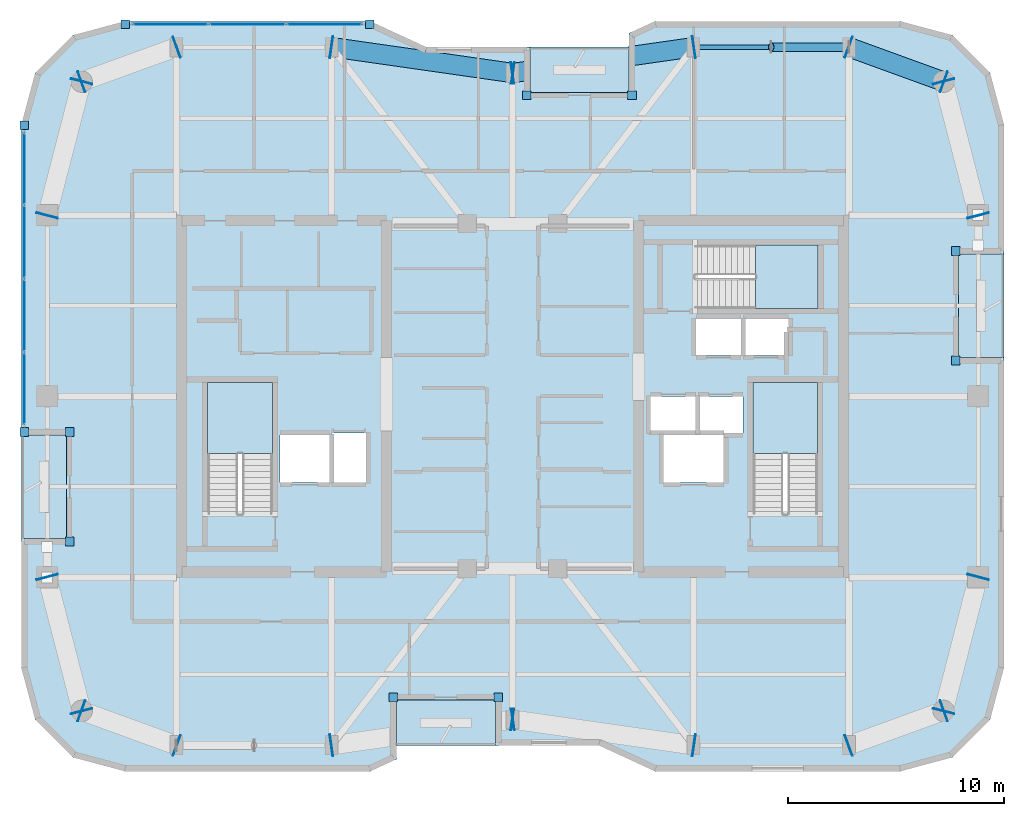
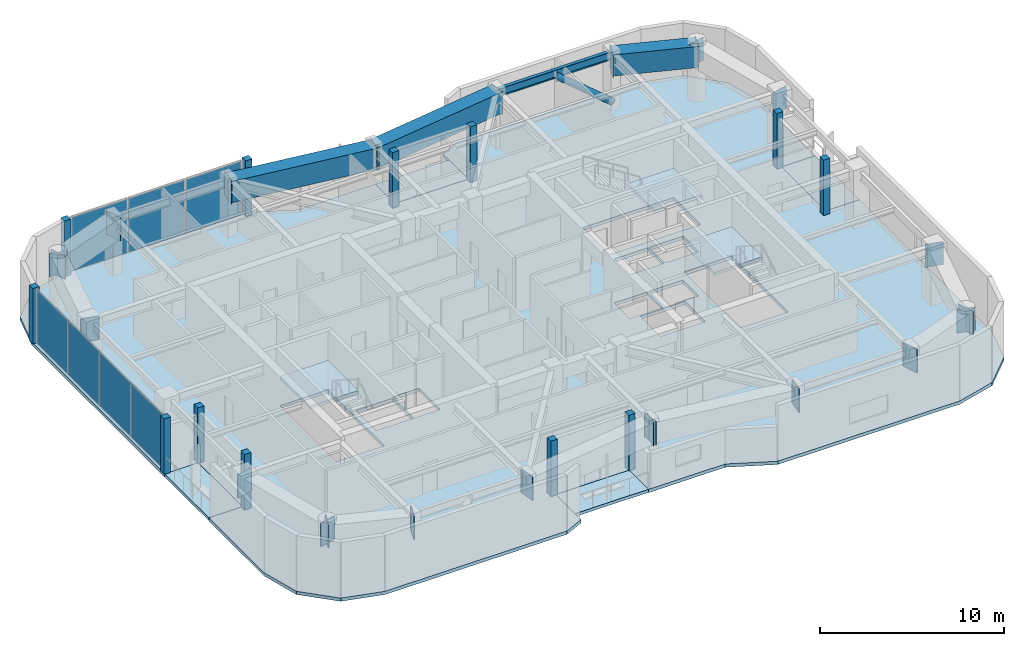
# One storey, part 7 of 15: 43 plates, 8 slabs, 4 beams, 1 member, 5 elements without a shape of their own.
"""IFC4 building model written with IfcOpenShell, lengths in metres."""

from ifc_helpers import new_model, si_unit, direction, frame, origin, origin_2d, place, context, subcontext, project, spatial, polyline, rectangle, hollow_rectangle, hollow_circle, i_section, outline, extrude, material, layer, layer_set, material_profile, profile_set, type_object, element, aggregate, save


model = new_model("IFC4")

# Units and contexts
model_context = context("Model", 3, precision=1e-05, world=origin(), true_north=direction((0.0, 1.0)))
body_context = subcontext(model_context, "Body", "Model", "MODEL_VIEW")
ifc_project = project(units=[si_unit("LENGTHUNIT", "METRE"), si_unit("AREAUNIT", "SQUARE_METRE"), si_unit("VOLUMEUNIT", "CUBIC_METRE"), si_unit("PLANEANGLEUNIT", "RADIAN"), si_unit("MASSUNIT", "GRAM", prefix="KILO")], contexts=[model_context])

# Site, building, storey
site_placement = place(None, origin())
site = spatial("IfcSite", under=ifc_project, at=site_placement, CompositionType="ELEMENT")
building_placement = place(site_placement, origin())
building = spatial("IfcBuilding", under=site, at=building_placement, Name="Kiyonajd Concourse Tower", CompositionType="ELEMENT")
storey_placement = place(building_placement, frame((0.0, 0.0, 274.5)))
storey = spatial("IfcBuildingStorey", under=building, at=storey_placement, Name="L69", CompositionType="ELEMENT", Elevation=274.5)

# Beams
ifc_material_1 = material(Name="Steel ASTM A992 Grade 50", Category="steel")
ifc_material_profile_1 = material_profile(ifc_material_1, i_section(OverallWidth=0.2109375, OverallDepth=0.5390625, WebThickness=0.01171875, FlangeThickness=0.018798828125, at=origin_2d()), Name="W530X109")
ifc_profile_set_1 = profile_set([ifc_material_profile_1], Name="Steel ASTM A992 Grade 50")
beam_type_1 = type_object("IfcBeamType", Name="BM-SPAN-530B", PredefinedType="SPANDREL", material=ifc_profile_set_1)
beam_1_placement = place(storey_placement, frame((63.60009765625, 52.199951171875, 3.410400390625), z_axis=(-1.0, 0.0, 0.0), x_axis=(0.0, -1.0, 0.0)))
element("IfcBeam", 1, at=beam_1_placement, inside=storey, type_object=beam_type_1, Name="L69 Perimeter Bundled Tube Spandrel", PredefinedType="SPANDREL", context=body_context, shape_type="SweptSolid", body=[
    extrude(i_section(OverallWidth=0.2109375, OverallDepth=0.5390625, WebThickness=0.01171875, FlangeThickness=0.018798828125, at=origin_2d()), origin(), (0.0, 0.0, 1.0), 7.2001953125),
])
ifc_material_2 = material(Name="Steel ASTM A572 Grade 50", Category="steel")
ifc_material_profile_2 = material_profile(ifc_material_2, hollow_rectangle(XDim=0.89990234375, YDim=1.39990234375, WallThickness=0.070068359375, at=origin_2d()), Name="BOX-1400x900x70")
ifc_profile_set_2 = profile_set([ifc_material_profile_2], Name="Steel ASTM A572 Grade 50")
beam_type_2 = type_object("IfcBeamType", Name="BM-XFER-1400", PredefinedType="BEAM", material=ifc_profile_set_2)
beam_2_placement = place(storey_placement, frame((68.0, 50.60009765625, 2.97998046875), z_axis=(-0.939801036019, 0.341722127901, 0.0), x_axis=(-0.341722127901, -0.939801036019, 0.0)))
element("IfcBeam", 2, at=beam_2_placement, inside=storey, type_object=beam_type_2, Name="L69 Perimeter Bundled Tube Spandrel", PredefinedType="BEAM", context=body_context, shape_type="SweptSolid", body=[
    extrude(hollow_rectangle(XDim=0.89990234375, YDim=1.39990234375, WallThickness=0.070068359375, at=origin_2d()), origin(), (0.0, 0.0, 1.0), 4.681640625),
])
for number, where, z_axis, x_axis, name in (
    (3, (56.39990234375, 52.199951171875, 2.97998046875), (-0.989950069105, -0.141417328072, 0.0), (0.141417328072, -0.989950069105, 0.0), "L69 Perimeter Bundled Tube Spandrel"),
    (4, (48.0, 51.0, 2.97998046875), (-0.989950069105, 0.141417328072, 0.0), (-0.141417328072, -0.989950069105, 0.0), "L69 Perimeter Bundled Tube Spandrel"),
):
    element("IfcBeam", number, at=place(storey_placement, frame(where, z_axis=z_axis, x_axis=x_axis)), inside=storey, type_object=beam_type_2, Name=name, PredefinedType="BEAM", context=body_context, shape_type="SweptSolid", body=[
        extrude(hollow_rectangle(XDim=0.89990234375, YDim=1.39990234375, WallThickness=0.070068359375, at=origin_2d()), origin(), (0.0, 0.0, 1.0), 8.485107421875),
    ])

# Member
ifc_material_3 = material(Name="Steel ASTM A500 Grade C", Category="steel")
ifc_material_profile_3 = material_profile(ifc_material_3, hollow_circle(Radius=0.202880859375, WallThickness=0.01904296875, at=origin_2d()), Name="CHS-406x19")
ifc_profile_set_3 = profile_set([ifc_material_profile_3], Name="Steel ASTM A500 Grade C")
member_type = type_object("IfcMemberType", Name="MB-PB-HIGH", PredefinedType="BRACE", material=ifc_profile_set_3)
member_placement = place(storey_placement, frame((63.60009765625, 52.199951171875, 0.300048828125), z_axis=(-0.765082043761, 0.0, 0.643932811957), x_axis=(0.0, -1.0, 0.0)))
element("IfcMember", 5, at=member_placement, inside=storey, type_object=member_type, Name="L69 Upper Zone Hollow Tube Brace PBN", PredefinedType="BRACE", context=body_context, shape_type="SweptSolid", body=[
    extrude(hollow_circle(Radius=0.202880859375, WallThickness=0.01904296875, at=origin_2d()), origin(), (0.0, 0.0, 1.0), 4.70556640625),
])

# Plates
ifc_layer_1 = layer(ifc_material_2, 0.031982421875)
ifc_layer_set_1 = layer_set([ifc_layer_1], Name="Steel ASTM A572 Grade 50")
plate_type_1 = type_object("IfcPlateType", Name="PL-CAP-540", PredefinedType="USERDEFINED", material=ifc_layer_set_1)
for number, where, z_axis, x_axis, name in (
    (6, (26.397216796875, 27.610595703125, 2.2099609375), (0.0, 0.0, 1.0), (-0.249873048837, 0.968278606324, 0.0), "L69 Welded Box Girder End Cap"),
    (7, (28.002685546875, 21.389404296875, 2.2099609375), (0.0, 0.0, 1.0), (0.249873048837, -0.968278606324, 0.0), "L69 Welded Box Girder End Cap"),
    (8, (27.98974609375, 21.40380859375, 2.2099609375), (0.0, 0.0, 1.0), (-0.939811951086, 0.341692107891, 0.0), "L69 Welded Box Girder End Cap"),
    (9, (32.410400390625, 19.796142578125, 2.2099609375), (0.0, 0.0, 1.0), (0.939811951086, -0.341692107891, 0.0), "L69 Welded Box Girder End Cap"),
    (10, (39.589111328125, 19.79833984375, 2.2099609375), (0.0, 0.0, 1.0), (-0.989949746297, -0.141419587774, 0.0), "L69 Welded Box Girder End Cap"),
    (11, (48.010986328125, 21.001708984375, 2.2099609375), (0.0, 0.0, 1.0), (0.989949746297, 0.141419587774, 0.0), "L69 Welded Box Girder End Cap"),
    (12, (47.989013671875, 21.001708984375, 2.2099609375), (0.0, 0.0, 1.0), (-0.989949746297, 0.141419587774, 0.0), "L69 Welded Box Girder End Cap"),
    (13, (56.410888671875, 19.79833984375, 2.2099609375), (0.0, 0.0, 1.0), (0.989949746297, -0.141419587774, 0.0), "L69 Welded Box Girder End Cap"),
    (14, (63.589599609375, 19.796142578125, 2.2099609375), (0.0, 0.0, 1.0), (-0.939811951086, -0.341692107891, 0.0), "L69 Welded Box Girder End Cap"),
    (15, (68.01025390625, 21.40380859375, 2.2099609375), (0.0, 0.0, 1.0), (0.939811951086, 0.341692107891, 0.0), "L69 Welded Box Girder End Cap"),
    (16, (67.997314453125, 21.389404296875, 2.2099609375), (0.0, 0.0, 1.0), (-0.249873048837, -0.968278606324, 0.0), "L69 Welded Box Girder End Cap"),
    (17, (69.602783203125, 27.610595703125, 2.2099609375), (0.0, 0.0, 1.0), (0.249873048837, 0.968278606324, 0.0), "L69 Welded Box Girder End Cap"),
    (18, (69.602783203125, 44.389404296875, 2.2099609375), (0.0, 0.0, 1.0), (0.249873048837, -0.968278606324, 0.0), "L69 Welded Box Girder End Cap"),
    (19, (67.997314453125, 50.610595703125, 2.2099609375), (0.0, 0.0, 1.0), (-0.249873048837, 0.968278606324, 0.0), "L69 Welded Box Girder End Cap"),
    (20, (68.01025390625, 50.59619140625, 2.2099609375), (0.0, 0.0, 1.0), (0.939811951086, -0.341692107891, 0.0), "L69 Welded Box Girder End Cap"),
    (21, (63.589599609375, 52.203857421875, 2.2099609375), (0.0, 0.0, 1.0), (-0.939811951086, 0.341692107891, 0.0), "L69 Welded Box Girder End Cap"),
    (22, (56.410888671875, 52.20166015625, 2.2099609375), (0.0, 0.0, 1.0), (0.989949746297, 0.141419587774, 0.0), "L69 Welded Box Girder End Cap"),
    (23, (47.989013671875, 50.998291015625, 2.2099609375), (0.0, 0.0, 1.0), (-0.989949746297, -0.141419587774, 0.0), "L69 Welded Box Girder End Cap"),
    (24, (48.010986328125, 50.998291015625, 2.2099609375), (0.0, 0.0, 1.0), (0.989949746297, -0.141419587774, 0.0), "L69 Welded Box Girder End Cap"),
    (25, (39.589111328125, 52.20166015625, 2.2099609375), (0.0, 0.0, 1.0), (-0.989949746297, 0.141419587774, 0.0), "L69 Welded Box Girder End Cap"),
    (26, (32.410400390625, 52.203857421875, 2.2099609375), (0.0, 0.0, 1.0), (0.939811951086, 0.341692107891, 0.0), "L69 Welded Box Girder End Cap"),
    (27, (27.98974609375, 50.59619140625, 2.2099609375), (0.0, 0.0, 1.0), (-0.939811951086, -0.341692107891, 0.0), "L69 Welded Box Girder End Cap"),
    (28, (28.002685546875, 50.610595703125, 2.2099609375), (0.0, 0.0, 1.0), (0.249873048837, 0.968278606324, 0.0), "L69 Welded Box Girder End Cap"),
    (29, (26.397216796875, 44.389404296875, 2.2099609375), (0.0, 0.0, 1.0), (-0.249873048837, -0.968278606324, 0.0), "L69 Welded Box Girder End Cap"),
):
    element("IfcPlate", number, at=place(storey_placement, frame(where, z_axis=z_axis, x_axis=x_axis)), inside=storey, type_object=plate_type_1, Name=name, ObjectType="CAP PLATE", PredefinedType="USERDEFINED", context=body_context, shape_type="SweptSolid", body=[
        extrude(rectangle(XDim=0.035888671875, YDim=1.02001953125, at=origin_2d()), origin(), (0.0, 0.0, 1.0), 1.5400390625),
    ])

# Curtain wall, plates
ifc_material_4 = material(Name="Thermally Broken Anodised Aluminium", Category="aluminium")
ifc_layer_2 = layer(ifc_material_4, 0.179931640625)
ifc_layer_set_2 = layer_set([ifc_layer_2], Name="Thermally Broken Anodised Aluminium")
curtain_wall_type = type_object("IfcCurtainWallType", Name="CW-SYS-04", PredefinedType="NOTDEFINED", material=ifc_layer_set_2)
curtain_wall_1_placement = place(storey_placement, origin())
curtain_wall_1 = element("IfcCurtainWall", 30, at=curtain_wall_1_placement, inside=storey, type_object=curtain_wall_type, Name="L69 Unitised Curtain Wall CW4", PredefinedType="NOTDEFINED")
ifc_material_5 = material(Name="Double Low-E Insulated Glass", Category="glass")
ifc_layer_3 = layer(ifc_material_5, 0.033935546875)
ifc_layer_set_3 = layer_set([ifc_layer_3], Name="Double Low-E Insulated Glass")
plate_type_2 = type_object("IfcPlateType", Name="PL-CW-VIS34", PredefinedType="CURTAIN_PANEL", material=ifc_layer_set_3)
plate_1_placement = place(storey_placement, frame((25.340087890625, 36.35400390625, 0.06494140625), z_axis=(0.0, 0.0, 1.0), x_axis=(0.0, 1.0, 0.0)))
plate_1 = element("IfcPlate", 31, at=plate_1_placement, type_object=plate_type_2, Name="CW4 panel 1.1", PredefinedType="CURTAIN_PANEL", context=body_context, shape_type="SweptSolid", body=[
    extrude(rectangle(XDim=3.31787109375, YDim=0.033935546875, at=origin_2d()), origin(), (0.0, 0.0, 1.0), 3.550048828125),
])
plate_2_placement = place(storey_placement, frame((25.340087890625, 39.753173828125, 0.06494140625), z_axis=(0.0, 0.0, 1.0), x_axis=(0.0, 1.0, 0.0)))
plate_2 = element("IfcPlate", 32, at=plate_2_placement, type_object=plate_type_2, Name="CW4 panel 2.1", PredefinedType="CURTAIN_PANEL", context=body_context, shape_type="SweptSolid", body=[
    extrude(rectangle(XDim=3.350341796875, YDim=0.033935546875, at=origin_2d()), origin(), (0.0, 0.0, 1.0), 3.550048828125),
])
plate_3_placement = place(storey_placement, frame((25.340087890625, 43.16845703125, 0.06494140625), z_axis=(0.0, 0.0, 1.0), x_axis=(0.0, 1.0, 0.0)))
plate_3 = element("IfcPlate", 33, at=plate_3_placement, type_object=plate_type_2, Name="CW4 panel 3.1", PredefinedType="CURTAIN_PANEL", context=body_context, shape_type="SweptSolid", body=[
    extrude(rectangle(XDim=3.350341796875, YDim=0.033935546875, at=origin_2d()), origin(), (0.0, 0.0, 1.0), 3.550048828125),
])
plate_4_placement = place(storey_placement, frame((25.340087890625, 46.567626953125, 0.06494140625), z_axis=(0.0, 0.0, 1.0), x_axis=(0.0, 1.0, 0.0)))
plate_4 = element("IfcPlate", 34, at=plate_4_placement, type_object=plate_type_2, Name="CW4 panel 4.1", PredefinedType="CURTAIN_PANEL", context=body_context, shape_type="SweptSolid", body=[
    extrude(rectangle(XDim=3.31787109375, YDim=0.033935546875, at=origin_2d()), origin(), (0.0, 0.0, 1.0), 3.550048828125),
])
aggregate(curtain_wall_1, [plate_1, plate_2, plate_3, plate_4])

curtain_wall_2_placement = place(storey_placement, origin())
curtain_wall_2 = element("IfcCurtainWall", 35, at=curtain_wall_2_placement, inside=storey, type_object=curtain_wall_type, Name="L69 Unitised Curtain Wall CW4", PredefinedType="NOTDEFINED")
plate_5_placement = place(storey_placement, frame((32.119873046875, 53.260009765625, 0.06494140625), z_axis=(0.0, 0.0, 1.0), x_axis=(1.0, 0.0, 0.0)))
plate_5 = element("IfcPlate", 36, at=plate_5_placement, type_object=plate_type_2, Name="CW4 panel 1.1", PredefinedType="CURTAIN_PANEL", context=body_context, shape_type="SweptSolid", body=[
    extrude(rectangle(XDim=3.492919921875, YDim=0.033935546875, at=origin_2d()), origin(), (0.0, 0.0, 1.0), 3.550048828125),
])
plate_6_placement = place(storey_placement, frame((35.69384765625, 53.260009765625, 0.06494140625), z_axis=(0.0, 0.0, 1.0), x_axis=(1.0, 0.0, 0.0)))
plate_6 = element("IfcPlate", 37, at=plate_6_placement, type_object=plate_type_2, Name="CW4 panel 2.1", PredefinedType="CURTAIN_PANEL", context=body_context, shape_type="SweptSolid", body=[
    extrude(rectangle(XDim=3.525390625, YDim=0.033935546875, at=origin_2d()), origin(), (0.0, 0.0, 1.0), 3.550048828125),
])
plate_7_placement = place(storey_placement, frame((39.267822265625, 53.260009765625, 0.06494140625), z_axis=(0.0, 0.0, 1.0), x_axis=(1.0, 0.0, 0.0)))
plate_7 = element("IfcPlate", 38, at=plate_7_placement, type_object=plate_type_2, Name="CW4 panel 3.1", PredefinedType="CURTAIN_PANEL", context=body_context, shape_type="SweptSolid", body=[
    extrude(rectangle(XDim=3.492919921875, YDim=0.033935546875, at=origin_2d()), origin(), (0.0, 0.0, 1.0), 3.550048828125),
])
aggregate(curtain_wall_2, [plate_5, plate_6, plate_7])

# Plates
ifc_layer_4 = layer(ifc_material_4, 0.39990234375)
ifc_layer_set_4 = layer_set([ifc_layer_4], Name="Thermally Broken Anodised Aluminium")
plate_type_3 = type_object("IfcPlateType", Name="PL-JMB-400", PredefinedType="USERDEFINED", material=ifc_layer_set_4)
for number, where, z_axis, x_axis, name in (
    (39, (27.43994140625, 29.260009765625, 0.0), (0.0, 0.0, 1.0), (1.0, 0.0, 0.0), "L69 Facade Jamb Closure Plate 01"),
    (40, (27.43994140625, 34.340087890625, 0.0), (0.0, 0.0, 1.0), (1.0, 0.0, 0.0), "L69 Facade Jamb Closure Plate 02"),
    (41, (25.340087890625, 34.340087890625, 0.0), (0.0, 0.0, 1.0), (1.0, 0.0, 0.0), "L69 Facade Jamb Closure Plate 03"),
    (42, (25.340087890625, 48.58154296875, 0.0), (0.0, 0.0, 1.0), (1.0, 0.0, 0.0), "L69 Facade Jamb Closure Plate 04"),
    (43, (30.018310546875, 53.260009765625, 0.0), (0.0, 0.0, 1.0), (1.0, 0.0, 0.0), "L69 Facade Jamb Closure Plate 05"),
    (44, (41.369384765625, 53.260009765625, 0.0), (0.0, 0.0, 1.0), (1.0, 0.0, 0.0), "L69 Facade Jamb Closure Plate 06"),
    (45, (48.659912109375, 49.9599609375, 0.0), (0.0, 0.0, 1.0), (1.0, 0.0, 0.0), "L69 Facade Jamb Closure Plate 07"),
    (46, (53.5400390625, 49.9599609375, 0.0), (0.0, 0.0, 1.0), (1.0, 0.0, 0.0), "L69 Facade Jamb Closure Plate 08"),
    (47, (68.56005859375, 42.739990234375, 0.0), (0.0, 0.0, 1.0), (1.0, 0.0, 0.0), "L69 Facade Jamb Closure Plate 09"),
    (48, (68.56005859375, 37.659912109375, 0.0), (0.0, 0.0, 1.0), (1.0, 0.0, 0.0), "L69 Facade Jamb Closure Plate 10"),
    (49, (47.340087890625, 22.0400390625, 0.0), (0.0, 0.0, 1.0), (1.0, 0.0, 0.0), "L69 Facade Jamb Closure Plate 11"),
    (50, (42.4599609375, 22.0400390625, 0.0), (0.0, 0.0, 1.0), (1.0, 0.0, 0.0), "L69 Facade Jamb Closure Plate 12"),
):
    element("IfcPlate", number, at=place(storey_placement, frame(where, z_axis=z_axis, x_axis=x_axis)), inside=storey, type_object=plate_type_3, Name=name, ObjectType="JAMB PLATE", PredefinedType="USERDEFINED", context=body_context, shape_type="SweptSolid", body=[
        extrude(rectangle(XDim=0.39990234375, YDim=0.39990234375, at=origin_2d()), origin(), (0.0, 0.0, 1.0), 3.679931640625),
    ])

# Stair, slab
ifc_material_6 = material(Name="Concrete C40/50", Category="concrete")
stair_type = type_object("IfcStairType", Name="ST-DLG-22R", PredefinedType="HALF_TURN_STAIR", material=ifc_material_6)
stair_1_placement = place(storey_placement, origin())
stair_1 = element("IfcStair", 51, at=stair_1_placement, inside=storey, type_object=stair_type, Name="L69 Protected Exit Stair ST1", PredefinedType="HALF_TURN_STAIR")
ifc_layer_5 = layer(ifc_material_6, 0.199951171875)
ifc_layer_set_5 = layer_set([ifc_layer_5], Name="Concrete C40/50")
slab_type_1 = type_object("IfcSlabType", Name="SL-LND-200", PredefinedType="LANDING", material=ifc_layer_set_5)
slab_1_placement = place(storey_placement, frame((0.0, 0.0, 1.75)))
slab_1 = element("IfcSlab", 52, at=slab_1_placement, type_object=slab_type_1, Name="ST1 landing 1", PredefinedType="LANDING", context=body_context, shape_type="SweptSolid", body=[
    extrude(outline(polyline([(36.85009765625, 33.35009765625), (36.85009765625, 36.64990234375), (33.85009765625, 36.64990234375), (33.85009765625, 33.35009765625), (36.85009765625, 33.35009765625)])), origin(), (0.0, 0.0, 1.0), 0.199951171875),
])
aggregate(stair_1, [slab_1])

stair_2_placement = place(storey_placement, origin())
stair_2 = element("IfcStair", 53, at=stair_2_placement, inside=storey, type_object=stair_type, Name="L69 Protected Exit Stair ST2", PredefinedType="HALF_TURN_STAIR")
slab_2_placement = place(storey_placement, frame((0.0, 0.0, 1.75)))
slab_2 = element("IfcSlab", 54, at=slab_2_placement, type_object=slab_type_1, Name="ST2 landing 1", PredefinedType="LANDING", context=body_context, shape_type="SweptSolid", body=[
    extrude(outline(polyline([(62.14990234375, 33.35009765625), (62.14990234375, 36.64990234375), (59.14990234375, 36.64990234375), (59.14990234375, 33.35009765625), (62.14990234375, 33.35009765625)])), origin(), (0.0, 0.0, 1.0), 0.199951171875),
])
aggregate(stair_2, [slab_2])

stair_3_placement = place(storey_placement, origin())
stair_3 = element("IfcStair", 55, at=stair_3_placement, inside=storey, type_object=stair_type, Name="L69 Protected Exit Stair ST3", PredefinedType="HALF_TURN_STAIR")
slab_3_placement = place(storey_placement, frame((0.0, 0.0, 1.75)))
slab_3 = element("IfcSlab", 56, at=slab_3_placement, type_object=slab_type_1, Name="ST3 landing 1", PredefinedType="LANDING", context=body_context, shape_type="SweptSolid", body=[
    extrude(outline(polyline([(59.280029296875, 40.080078125), (62.179931640625, 40.080078125), (62.179931640625, 43.02001953125), (59.280029296875, 43.02001953125), (59.280029296875, 40.080078125)])), origin(), (0.0, 0.0, 1.0), 0.199951171875),
])
aggregate(stair_3, [slab_3])

# Slabs
ifc_material_7 = material(Name="Precast concrete C50/60", Category="concrete")
ifc_layer_6 = layer(ifc_material_7, 0.199951171875)
ifc_layer_set_6 = layer_set([ifc_layer_6], Name="Precast concrete C50/60")
slab_type_2 = type_object("IfcSlabType", Name="SL-LOG-200", PredefinedType="FLOOR", material=ifc_layer_set_6)
slab_4_placement = place(storey_placement, frame((0.0, 0.0, -0.199951171875)))
element("IfcSlab", 57, at=slab_4_placement, inside=storey, type_object=slab_type_2, Name="L69 Recessed Engawa Loggia Terrace Slab LOG-S", PredefinedType="FLOOR", context=body_context, shape_type="SweptSolid", body=[
    extrude(outline(polyline([(42.60009765625, 19.800048828125), (47.199951171875, 19.800048828125), (47.199951171875, 21.89990234375), (42.60009765625, 21.89990234375), (42.60009765625, 19.800048828125)])), origin(), (0.0, 0.0, 1.0), 0.199951171875),
])
slab_5_placement = place(storey_placement, frame((0.0, 0.0, -0.199951171875)))
element("IfcSlab", 58, at=slab_5_placement, inside=storey, type_object=slab_type_2, Name="L69 Recessed Engawa Loggia Terrace Slab LOG-N", PredefinedType="FLOOR", context=body_context, shape_type="SweptSolid", body=[
    extrude(outline(polyline([(48.800048828125, 50.10009765625), (53.39990234375, 50.10009765625), (53.39990234375, 52.199951171875), (48.800048828125, 52.199951171875), (48.800048828125, 50.10009765625)])), origin(), (0.0, 0.0, 1.0), 0.199951171875),
])
slab_6_placement = place(storey_placement, frame((0.0, 0.0, -0.199951171875)))
element("IfcSlab", 59, at=slab_6_placement, inside=storey, type_object=slab_type_2, Name="L69 Recessed Engawa Loggia Terrace Slab LOG-W", PredefinedType="FLOOR", context=body_context, shape_type="SweptSolid", body=[
    extrude(outline(polyline([(25.199951171875, 29.39990234375), (27.300048828125, 29.39990234375), (27.300048828125, 34.199951171875), (25.199951171875, 34.199951171875), (25.199951171875, 29.39990234375)])), origin(), (0.0, 0.0, 1.0), 0.199951171875),
])
slab_7_placement = place(storey_placement, frame((0.0, 0.0, -0.199951171875)))
element("IfcSlab", 60, at=slab_7_placement, inside=storey, type_object=slab_type_2, Name="L69 Recessed Engawa Loggia Terrace Slab LOG-E", PredefinedType="FLOOR", context=body_context, shape_type="SweptSolid", body=[
    extrude(outline(polyline([(68.699951171875, 37.800048828125), (70.800048828125, 37.800048828125), (70.800048828125, 42.60009765625), (68.699951171875, 42.60009765625), (68.699951171875, 37.800048828125)])), origin(), (0.0, 0.0, 1.0), 0.199951171875),
])
ifc_layer_7 = layer(ifc_material_6, 0.219970703125)
ifc_layer_set_7 = layer_set([ifc_layer_7], Name="Concrete C40/50")
slab_type_3 = type_object("IfcSlabType", Name="SL-TWR-220", PredefinedType="FLOOR", material=ifc_layer_set_7)
slab_8_placement = place(storey_placement, frame((0.0, 0.0, -0.219970703125)))
element("IfcSlab", 61, at=slab_8_placement, inside=storey, type_object=slab_type_3, Name="L69 Tower Conditioned Floor Slab", PredefinedType="FLOOR", context=body_context, shape_type="SweptSolid", body=[
    extrude(outline(polyline([(25.843017578125, 21.0), (25.199951171875, 23.39990234375), (25.199951171875, 29.39990234375), (27.300048828125, 29.39990234375), (27.300048828125, 34.199951171875), (25.199951171875, 34.199951171875), (25.199951171875, 48.60009765625), (25.843017578125, 51.0), (27.60009765625, 52.757080078125), (30.0, 53.39990234375), (41.39990234375, 53.39990234375), (44.0, 52.199951171875), (48.800048828125, 52.199951171875), (48.800048828125, 50.10009765625), (53.39990234375, 50.10009765625), (53.39990234375, 52.845947265625), (54.60009765625, 53.39990234375), (66.0, 53.39990234375), (68.39990234375, 52.757080078125), (70.156982421875, 51.0), (70.800048828125, 48.60009765625), (70.800048828125, 42.60009765625), (68.699951171875, 42.60009765625), (68.699951171875, 37.800048828125), (70.800048828125, 37.800048828125), (70.800048828125, 23.39990234375), (70.156982421875, 21.0), (68.39990234375, 19.242919921875), (66.0, 18.60009765625), (54.60009765625, 18.60009765625), (52.0, 19.800048828125), (47.199951171875, 19.800048828125), (47.199951171875, 21.89990234375), (42.60009765625, 21.89990234375), (42.60009765625, 19.154052734375), (41.39990234375, 18.60009765625), (30.0, 18.60009765625), (27.60009765625, 19.242919921875), (25.843017578125, 21.0)]), holes=[polyline([(39.5, 32.0), (37.199951171875, 32.0), (37.199951171875, 34.199951171875), (39.5, 34.199951171875), (39.5, 32.0)]), polyline([(57.800048828125, 32.0), (55.0, 32.0), (55.0, 34.199951171875), (57.800048828125, 34.199951171875), (57.800048828125, 32.0)]), polyline([(41.199951171875, 32.0), (39.60009765625, 32.0), (39.60009765625, 34.300048828125), (41.199951171875, 34.300048828125), (41.199951171875, 32.0)]), polyline([(33.85009765625, 30.550048828125), (33.85009765625, 36.64990234375), (36.85009765625, 36.64990234375), (36.85009765625, 30.550048828125), (33.85009765625, 30.550048828125)]), polyline([(59.14990234375, 30.550048828125), (59.14990234375, 36.64990234375), (62.14990234375, 36.64990234375), (62.14990234375, 30.550048828125), (59.14990234375, 30.550048828125)]), polyline([(56.5, 34.300048828125), (54.39990234375, 34.300048828125), (54.39990234375, 36.0), (56.5, 36.0), (56.5, 34.300048828125)]), polyline([(58.699951171875, 34.300048828125), (56.60009765625, 34.300048828125), (56.60009765625, 36.0), (58.699951171875, 36.0), (58.699951171875, 34.300048828125)]), polyline([(58.60009765625, 37.89990234375), (56.5, 37.89990234375), (56.5, 39.60009765625), (58.60009765625, 39.60009765625), (58.60009765625, 37.89990234375)]), polyline([(58.699951171875, 37.89990234375), (58.699951171875, 39.60009765625), (60.800048828125, 39.60009765625), (60.800048828125, 37.89990234375), (58.699951171875, 37.89990234375)]), polyline([(56.47998046875, 43.02001953125), (62.179931640625, 43.02001953125), (62.179931640625, 40.080078125), (56.47998046875, 40.080078125), (56.47998046875, 43.02001953125)])]), origin(), (0.0, 0.0, 1.0), 0.219970703125),
])

save(model, "model.ifc")
